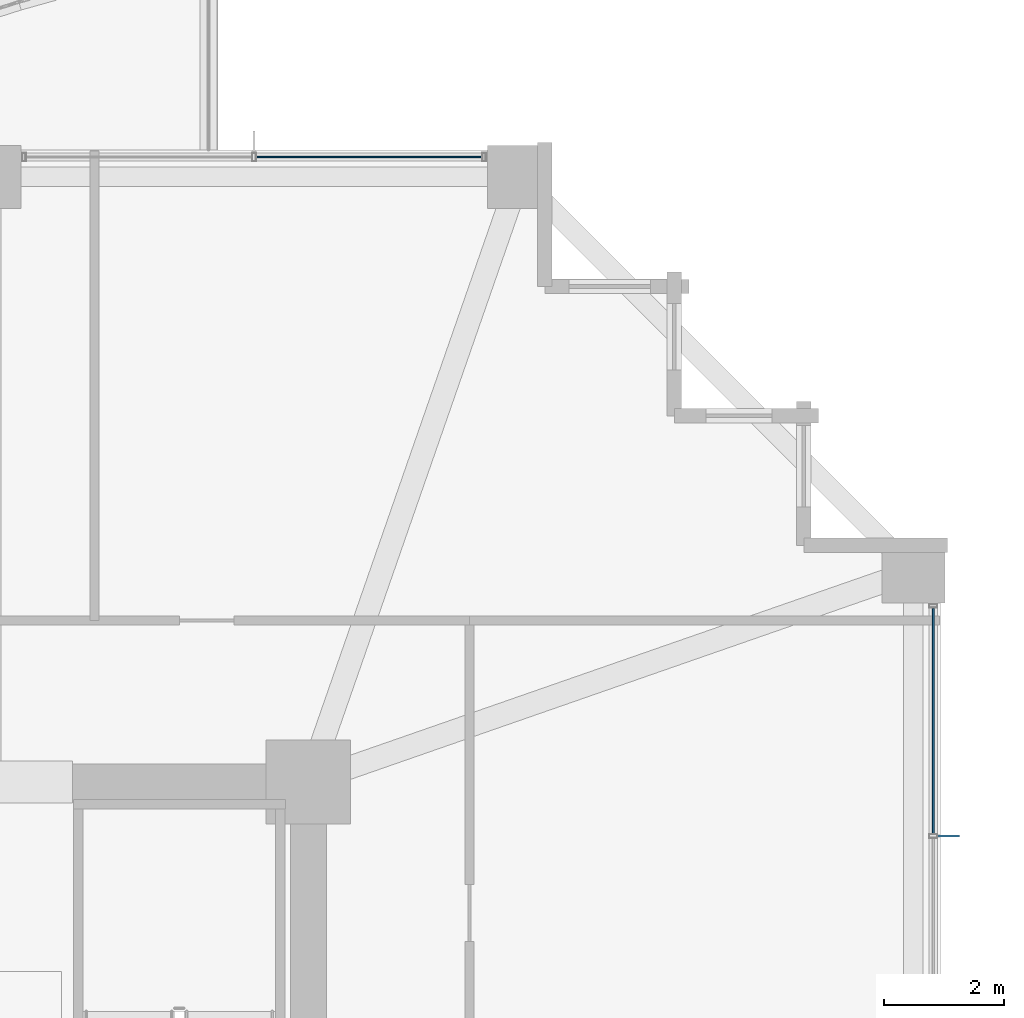
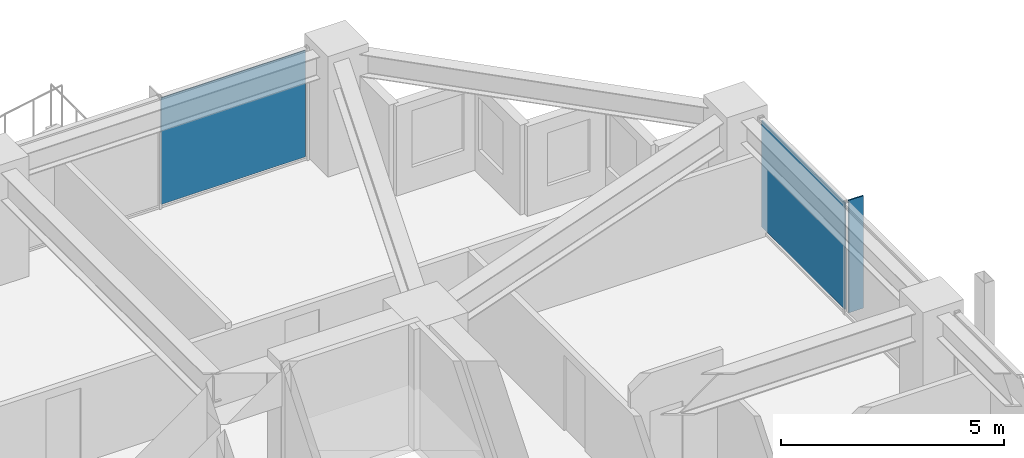
# One storey, part 31 of 38: 3 plates, 2 elements without a shape of their own.
"""IFC4 building model written with IfcOpenShell, lengths in metres."""

from ifc_helpers import new_model, si_unit, direction, frame, origin, origin_2d, place, context, subcontext, project, spatial, rectangle, extrude, material, layer, layer_set, type_object, element, aggregate, save


model = new_model("IFC4")

# Units and contexts
model_context = context("Model", 3, precision=1e-05, world=origin(), true_north=direction((0.0, 1.0)))
body_context = subcontext(model_context, "Body", "Model", "MODEL_VIEW")
ifc_project = project(units=[si_unit("LENGTHUNIT", "METRE"), si_unit("AREAUNIT", "SQUARE_METRE"), si_unit("VOLUMEUNIT", "CUBIC_METRE"), si_unit("PLANEANGLEUNIT", "RADIAN"), si_unit("MASSUNIT", "GRAM", prefix="KILO")], contexts=[model_context])

# Site, building, storey
site_placement = place(None, origin())
site = spatial("IfcSite", under=ifc_project, at=site_placement, CompositionType="ELEMENT")
building_placement = place(site_placement, origin())
building = spatial("IfcBuilding", under=site, at=building_placement, Name="Kolvaren Belvedere", CompositionType="ELEMENT")
storey_placement = place(building_placement, frame((0.0, 0.0, 78.800048828125)))
storey = spatial("IfcBuildingStorey", under=building, at=storey_placement, Name="L22", CompositionType="ELEMENT", Elevation=78.800048828125)

# Curtain wall, plate
ifc_material_1 = material(Name="Anodised pale-metal aluminium AA 6063-T6", Category="aluminium")
curtain_wall_type = type_object("IfcCurtainWallType", Name="CW-Z2-MID", PredefinedType="NOTDEFINED", material=ifc_material_1)
curtain_wall_1_placement = place(storey_placement, origin())
curtain_wall_1 = element("IfcCurtainWall", 1, at=curtain_wall_1_placement, inside=storey, type_object=curtain_wall_type, Name="L22 Unitised Curtain Wall FCW-L22-E-B1", PredefinedType="NOTDEFINED")
ifc_material_2 = material(Name="Low-iron triple insulated glass", Category="glass")
ifc_layer_1 = layer(ifc_material_2, 0.028076171875)
ifc_layer_set_1 = layer_set([ifc_layer_1], Name="Low-iron triple insulated glass")
plate_type_1 = type_object("IfcPlateType", Name="CW-PNL-VIS28", PredefinedType="CURTAIN_PANEL", material=ifc_layer_set_1)
plate_1_placement = place(storey_placement, frame((20.280029296875, 10.9111328125, 0.080078125), z_axis=(0.0, 0.0, 1.0), x_axis=(0.0, -1.0, 0.0)))
plate_1 = element("IfcPlate", 2, at=plate_1_placement, type_object=plate_type_1, Name="FCW-L22-E-B1 Vision Glazing Panel 1", PredefinedType="CURTAIN_PANEL", context=body_context, shape_type="SweptSolid", body=[
    extrude(rectangle(XDim=3.742431640625, YDim=0.028076171875, at=origin_2d()), origin(), (0.0, 0.0, 1.0), 2.919921875),
])
aggregate(curtain_wall_1, [plate_1])

curtain_wall_2_placement = place(storey_placement, origin())
curtain_wall_2 = element("IfcCurtainWall", 3, at=curtain_wall_2_placement, inside=storey, type_object=curtain_wall_type, Name="L22 Unitised Curtain Wall FCW-L22-N2-B2", PredefinedType="NOTDEFINED")
plate_2_placement = place(storey_placement, frame((10.9111328125, 20.280029296875, 0.080078125), z_axis=(0.0, 0.0, 1.0), x_axis=(1.0, 0.0, 0.0)))
plate_2 = element("IfcPlate", 4, at=plate_2_placement, type_object=plate_type_1, Name="FCW-L22-N2-B2 Vision Glazing Panel 2", PredefinedType="CURTAIN_PANEL", context=body_context, shape_type="SweptSolid", body=[
    extrude(rectangle(XDim=3.742431640625, YDim=0.028076171875, at=origin_2d()), origin(), (0.0, 0.0, 1.0), 2.919921875),
])
aggregate(curtain_wall_2, [plate_2])

# Plate
ifc_material_3 = material(Name="Anodised pale-metal aluminium AA 6063-T6", Category="aluminium")
ifc_layer_2 = layer(ifc_material_3, 0.033935546875)
ifc_layer_set_2 = layer_set([ifc_layer_2], Name="Anodised pale-metal aluminium AA 6063-T6")
plate_type_2 = type_object("IfcPlateType", Name="FIN-VERT-380", PredefinedType="USERDEFINED", material=ifc_layer_set_2)
plate_3_placement = place(storey_placement, frame((20.52490234375, 9.0, 0.0), z_axis=(0.0, 0.0, 1.0), x_axis=(1.0, 0.0, 0.0)))
element("IfcPlate", 5, at=plate_3_placement, inside=storey, type_object=plate_type_2, Name="L22 Pale-Metal Vertical Shading Fin FCW-L22-E-B1-1", ObjectType="VERTICAL FIN", PredefinedType="USERDEFINED", context=body_context, shape_type="SweptSolid", body=[
    extrude(rectangle(XDim=0.3798828125, YDim=0.033935546875, at=origin_2d()), origin(), (0.0, 0.0, 1.0), 3.080078125),
])

save(model, "model.ifc")
